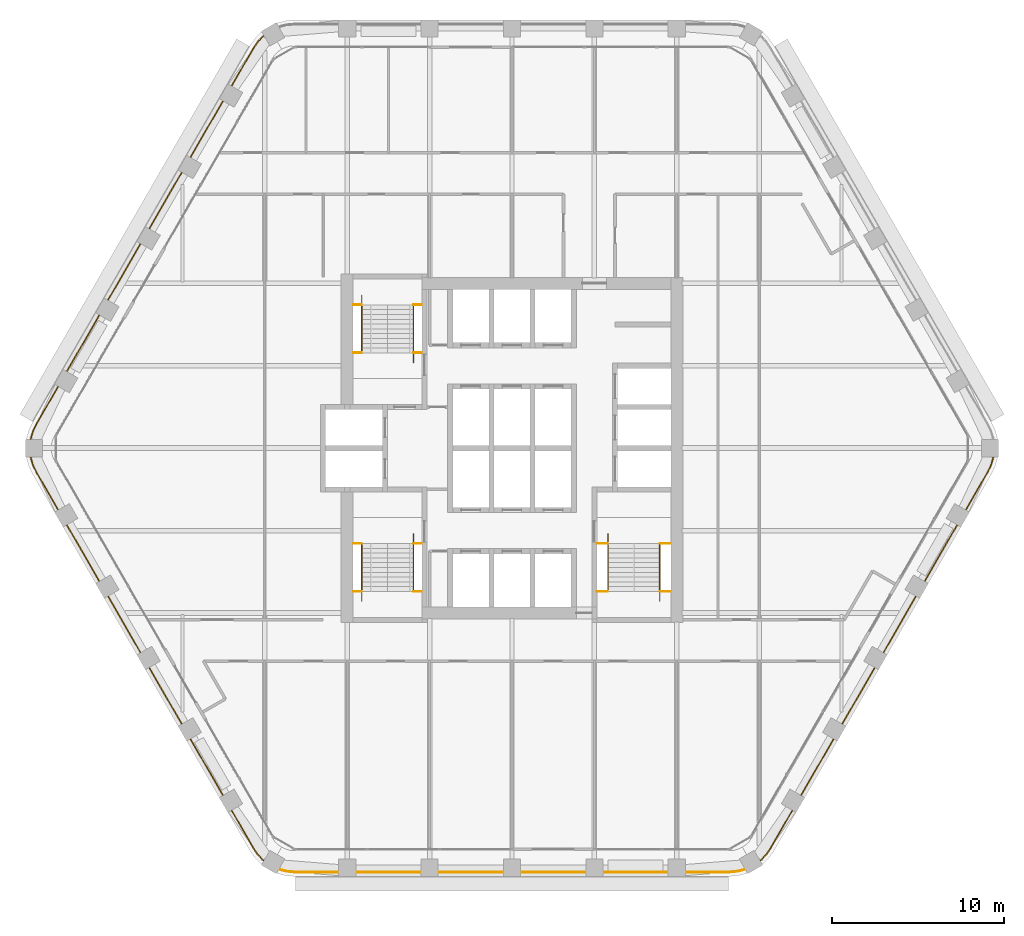
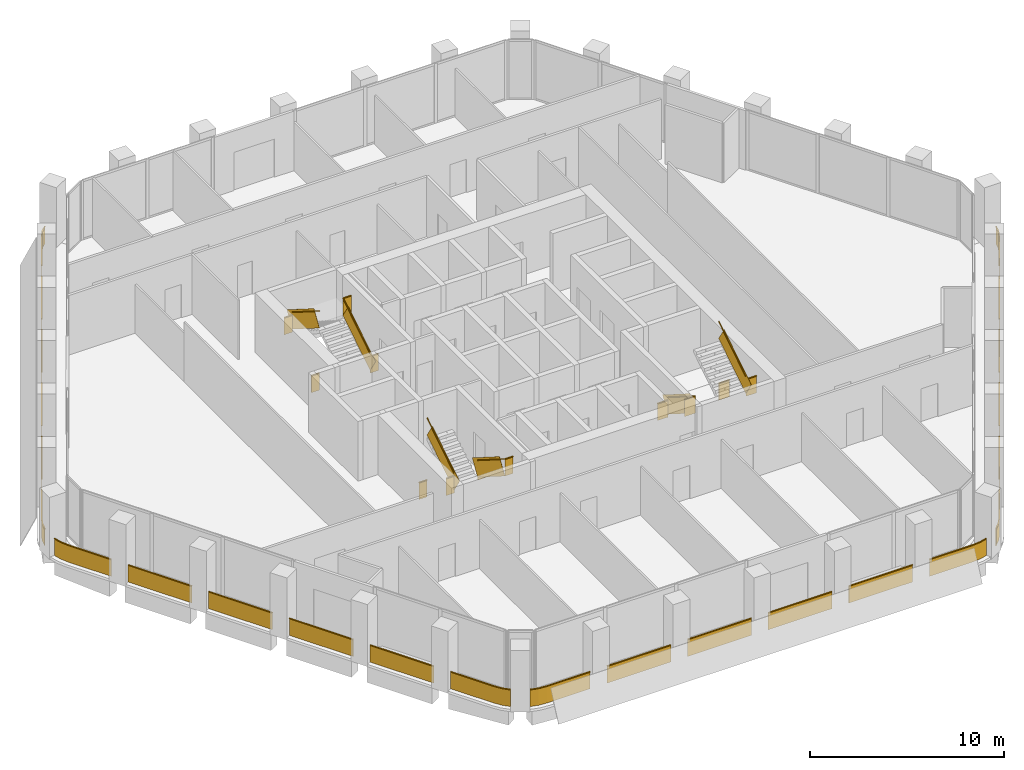
# One storey, part 14 of 15: 10 railings.
"""IFC4 building model written with IfcOpenShell, lengths in metres."""

from ifc_helpers import new_model, si_unit, direction, frame, frame_2d, origin, origin_2d, place, context, subcontext, project, spatial, rectangle, extrude, material, type_object, element, save


model = new_model("IFC4")

# Units and contexts
model_context = context("Model", 3, precision=1e-05, world=origin(), true_north=direction((0.0, 1.0)))
body_context = subcontext(model_context, "Body", "Model", "MODEL_VIEW")
ifc_project = project(units=[si_unit("LENGTHUNIT", "METRE"), si_unit("AREAUNIT", "SQUARE_METRE"), si_unit("VOLUMEUNIT", "CUBIC_METRE"), si_unit("PLANEANGLEUNIT", "RADIAN"), si_unit("MASSUNIT", "GRAM", prefix="KILO")], contexts=[model_context])

# Site, building, storey
site_placement = place(None, origin())
site = spatial("IfcSite", under=ifc_project, at=site_placement, CompositionType="ELEMENT")
building_placement = place(site_placement, origin())
building = spatial("IfcBuilding", under=site, at=building_placement, Name="Kolab Exchange Tower", CompositionType="ELEMENT")
storey_placement = place(building_placement, frame((0.0, 0.0, 185.60009765625)))
storey = spatial("IfcBuildingStorey", under=building, at=storey_placement, Name="L39", CompositionType="ELEMENT", Elevation=185.60009765625)

# Railings
ifc_material_1 = material(Name="Stainless steel 316", Category="steel")
railing_type_1 = type_object("IfcRailingType", Name="GUARD 1100", PredefinedType="GUARDRAIL", material=ifc_material_1)
railing_1_placement = place(storey_placement, frame((-9.25, 5.550048828125, 0.0)))
element("IfcRailing", 1, at=railing_1_placement, inside=storey, type_object=railing_type_1, Name="Guard ST1", PredefinedType="GUARDRAIL", context=body_context, shape_type="SweptSolid", body=[
    extrude(rectangle(XDim=0.05, YDim=0.05, at=origin_2d()), frame((0.0, 0.0, 1.0751953125), z_axis=(1.0, 0.0, 0.0), x_axis=(0.0, 1.0, 0.0)), (0.0, 0.0, 1.0), 0.489990234375),
    extrude(rectangle(XDim=0.012, YDim=1.05009765625, at=frame_2d((0.0, 0.525146484375))), frame((0.0, 0.0, 0.0), z_axis=(1.0, 0.0, 0.0), x_axis=(0.0, 1.0, 0.0)), (0.0, 0.0, 1.0), 0.489990234375),
    extrude(rectangle(XDim=0.05, YDim=0.05, at=origin_2d()), frame((3.510009765625, 0.0, 1.0751953125), z_axis=(1.0, 0.0, 0.0), x_axis=(0.0, 1.0, 0.0)), (0.0, 0.0, 1.0), 0.489990234375),
    extrude(rectangle(XDim=0.012, YDim=1.05009765625, at=frame_2d((0.0, 0.525146484375))), frame((3.510009765625, 0.0, 0.0), z_axis=(1.0, 0.0, 0.0), x_axis=(0.0, 1.0, 0.0)), (0.0, 0.0, 1.0), 0.489990234375),
    extrude(rectangle(XDim=0.05, YDim=0.05, at=origin_2d()), frame((0.0, 2.800048828125, 3.025146484375), z_axis=(1.0, 0.0, 0.0), x_axis=(0.0, 1.0, 0.0)), (0.0, 0.0, 1.0), 0.489990234375),
    extrude(rectangle(XDim=0.012, YDim=1.05009765625, at=frame_2d((0.0, 0.525146484375))), frame((0.0, 2.800048828125, 1.949951171875), z_axis=(1.0, 0.0, 0.0), x_axis=(0.0, 1.0, 0.0)), (0.0, 0.0, 1.0), 0.489990234375),
    extrude(rectangle(XDim=0.05, YDim=0.05, at=origin_2d()), frame((3.510009765625, 2.800048828125, 3.025146484375), z_axis=(1.0, 0.0, 0.0), x_axis=(0.0, 1.0, 0.0)), (0.0, 0.0, 1.0), 0.489990234375),
    extrude(rectangle(XDim=0.012, YDim=1.05009765625, at=frame_2d((0.0, 0.525146484375))), frame((3.510009765625, 2.800048828125, 1.949951171875), z_axis=(1.0, 0.0, 0.0), x_axis=(0.0, 1.0, 0.0)), (0.0, 0.0, 1.0), 0.489990234375),
])
railing_2_placement = place(storey_placement, frame((-5.739990234375, 5.550048828125, 0.17724609375)))
element("IfcRailing", 2, at=railing_2_placement, inside=storey, type_object=railing_type_1, Name="Handrail guard ST1", PredefinedType="GUARDRAIL", context=body_context, shape_type="SweptSolid", body=[
    extrude(rectangle(XDim=0.05, YDim=0.05, at=origin_2d()), frame((0.0, 0.0, 1.0751953125), z_axis=(0.0, 0.844908973607, 0.534910110503), x_axis=(-1.0, 0.0, 0.0)), (0.0, 0.0, 1.0), 3.31396484375),
    extrude(rectangle(XDim=0.012, YDim=1.05009765625, at=frame_2d((0.0, 0.525146484375))), frame((0.0, 0.0, 0.0), z_axis=(0.0, 0.844908973607, 0.534910110503), x_axis=(-1.0, 0.0, 0.0)), (0.0, 0.0, 1.0), 3.31396484375),
    extrude(rectangle(XDim=0.05, YDim=0.05, at=origin_2d()), frame((-3.02001953125, 2.800048828125, 3.025146484375), z_axis=(0.0, -0.844908973607, 0.534910110503), x_axis=(1.0, 0.0, 0.0)), (0.0, 0.0, 1.0), 3.31396484375),
    extrude(rectangle(XDim=0.012, YDim=1.05009765625, at=frame_2d((0.0, 0.525146484375))), frame((-3.02001953125, 2.800048828125, 1.949951171875), z_axis=(0.0, -0.844908973607, 0.534910110503), x_axis=(1.0, 0.0, 0.0)), (0.0, 0.0, 1.0), 3.31396484375),
])
railing_3_placement = place(storey_placement, frame((-9.25, -5.550048828125, 0.0)))
element("IfcRailing", 3, at=railing_3_placement, inside=storey, type_object=railing_type_1, Name="Guard ST3", PredefinedType="GUARDRAIL", context=body_context, shape_type="SweptSolid", body=[
    extrude(rectangle(XDim=0.05, YDim=0.05, at=origin_2d()), frame((0.0, 0.0, 1.0751953125), z_axis=(1.0, 0.0, 0.0), x_axis=(0.0, 1.0, 0.0)), (0.0, 0.0, 1.0), 0.489990234375),
    extrude(rectangle(XDim=0.012, YDim=1.05009765625, at=frame_2d((0.0, 0.525146484375))), frame((0.0, 0.0, 0.0), z_axis=(1.0, 0.0, 0.0), x_axis=(0.0, 1.0, 0.0)), (0.0, 0.0, 1.0), 0.489990234375),
    extrude(rectangle(XDim=0.05, YDim=0.05, at=origin_2d()), frame((3.510009765625, 0.0, 1.0751953125), z_axis=(1.0, 0.0, 0.0), x_axis=(0.0, 1.0, 0.0)), (0.0, 0.0, 1.0), 0.489990234375),
    extrude(rectangle(XDim=0.012, YDim=1.05009765625, at=frame_2d((0.0, 0.525146484375))), frame((3.510009765625, 0.0, 0.0), z_axis=(1.0, 0.0, 0.0), x_axis=(0.0, 1.0, 0.0)), (0.0, 0.0, 1.0), 0.489990234375),
    extrude(rectangle(XDim=0.05, YDim=0.05, at=origin_2d()), frame((0.0, -2.800048828125, 3.025146484375), z_axis=(1.0, 0.0, 0.0), x_axis=(0.0, 1.0, 0.0)), (0.0, 0.0, 1.0), 0.489990234375),
    extrude(rectangle(XDim=0.012, YDim=1.05009765625, at=frame_2d((0.0, 0.525146484375))), frame((0.0, -2.800048828125, 1.949951171875), z_axis=(1.0, 0.0, 0.0), x_axis=(0.0, 1.0, 0.0)), (0.0, 0.0, 1.0), 0.489990234375),
    extrude(rectangle(XDim=0.05, YDim=0.05, at=origin_2d()), frame((3.510009765625, -2.800048828125, 3.025146484375), z_axis=(1.0, 0.0, 0.0), x_axis=(0.0, 1.0, 0.0)), (0.0, 0.0, 1.0), 0.489990234375),
    extrude(rectangle(XDim=0.012, YDim=1.05009765625, at=frame_2d((0.0, 0.525146484375))), frame((3.510009765625, -2.800048828125, 1.949951171875), z_axis=(1.0, 0.0, 0.0), x_axis=(0.0, 1.0, 0.0)), (0.0, 0.0, 1.0), 0.489990234375),
])
railing_4_placement = place(storey_placement, frame((-5.739990234375, -5.550048828125, 0.17724609375)))
element("IfcRailing", 4, at=railing_4_placement, inside=storey, type_object=railing_type_1, Name="Handrail guard ST3", PredefinedType="GUARDRAIL", context=body_context, shape_type="SweptSolid", body=[
    extrude(rectangle(XDim=0.05, YDim=0.05, at=origin_2d()), frame((0.0, 0.0, 1.0751953125), z_axis=(0.0, -0.844908973607, 0.534910110503), x_axis=(1.0, 0.0, 0.0)), (0.0, 0.0, 1.0), 3.31396484375),
    extrude(rectangle(XDim=0.012, YDim=1.05009765625, at=frame_2d((0.0, 0.525146484375))), frame((0.0, 0.0, 0.0), z_axis=(0.0, -0.844908973607, 0.534910110503), x_axis=(1.0, 0.0, 0.0)), (0.0, 0.0, 1.0), 3.31396484375),
    extrude(rectangle(XDim=0.05, YDim=0.05, at=origin_2d()), frame((-3.02001953125, -2.800048828125, 3.025146484375), z_axis=(0.0, 0.844908973607, 0.534910110503), x_axis=(-1.0, 0.0, 0.0)), (0.0, 0.0, 1.0), 3.31396484375),
    extrude(rectangle(XDim=0.012, YDim=1.05009765625, at=frame_2d((0.0, 0.525146484375))), frame((-3.02001953125, -2.800048828125, 1.949951171875), z_axis=(0.0, 0.844908973607, 0.534910110503), x_axis=(-1.0, 0.0, 0.0)), (0.0, 0.0, 1.0), 3.31396484375),
])
railing_5_placement = place(storey_placement, frame((4.949951171875, -5.550048828125, 0.0)))
element("IfcRailing", 5, at=railing_5_placement, inside=storey, type_object=railing_type_1, Name="Guard ST2", PredefinedType="GUARDRAIL", context=body_context, shape_type="SweptSolid", body=[
    extrude(rectangle(XDim=0.05, YDim=0.05, at=origin_2d()), frame((0.0, 0.0, 1.0751953125), z_axis=(1.0, 0.0, 0.0), x_axis=(0.0, 1.0, 0.0)), (0.0, 0.0, 1.0), 0.64013671875),
    extrude(rectangle(XDim=0.012, YDim=1.05009765625, at=frame_2d((0.0, 0.525146484375))), frame((0.0, 0.0, 0.0), z_axis=(1.0, 0.0, 0.0), x_axis=(0.0, 1.0, 0.0)), (0.0, 0.0, 1.0), 0.64013671875),
    extrude(rectangle(XDim=0.05, YDim=0.05, at=origin_2d()), frame((3.66015625, 0.0, 1.0751953125), z_axis=(1.0, 0.0, 0.0), x_axis=(0.0, 1.0, 0.0)), (0.0, 0.0, 1.0), 0.639892578125),
    extrude(rectangle(XDim=0.012, YDim=1.05009765625, at=frame_2d((0.0, 0.525146484375))), frame((3.66015625, 0.0, 0.0), z_axis=(1.0, 0.0, 0.0), x_axis=(0.0, 1.0, 0.0)), (0.0, 0.0, 1.0), 0.639892578125),
    extrude(rectangle(XDim=0.05, YDim=0.05, at=origin_2d()), frame((0.0, -2.800048828125, 3.025146484375), z_axis=(1.0, 0.0, 0.0), x_axis=(0.0, 1.0, 0.0)), (0.0, 0.0, 1.0), 0.64013671875),
    extrude(rectangle(XDim=0.012, YDim=1.05009765625, at=frame_2d((0.0, 0.525146484375))), frame((0.0, -2.800048828125, 1.949951171875), z_axis=(1.0, 0.0, 0.0), x_axis=(0.0, 1.0, 0.0)), (0.0, 0.0, 1.0), 0.64013671875),
    extrude(rectangle(XDim=0.05, YDim=0.05, at=origin_2d()), frame((3.66015625, -2.800048828125, 3.025146484375), z_axis=(1.0, 0.0, 0.0), x_axis=(0.0, 1.0, 0.0)), (0.0, 0.0, 1.0), 0.639892578125),
    extrude(rectangle(XDim=0.012, YDim=1.05009765625, at=frame_2d((0.0, 0.525146484375))), frame((3.66015625, -2.800048828125, 1.949951171875), z_axis=(1.0, 0.0, 0.0), x_axis=(0.0, 1.0, 0.0)), (0.0, 0.0, 1.0), 0.639892578125),
])
railing_6_placement = place(storey_placement, frame((5.590087890625, -5.550048828125, 0.17724609375)))
element("IfcRailing", 6, at=railing_6_placement, inside=storey, type_object=railing_type_1, Name="Handrail guard ST2", PredefinedType="GUARDRAIL", context=body_context, shape_type="SweptSolid", body=[
    extrude(rectangle(XDim=0.05, YDim=0.05, at=origin_2d()), frame((0.0, 0.0, 1.0751953125), z_axis=(0.0, -0.844908973607, 0.534910110503), x_axis=(1.0, 0.0, 0.0)), (0.0, 0.0, 1.0), 3.31396484375),
    extrude(rectangle(XDim=0.012, YDim=1.05009765625, at=frame_2d((0.0, 0.525146484375))), frame((0.0, 0.0, 0.0), z_axis=(0.0, -0.844908973607, 0.534910110503), x_axis=(1.0, 0.0, 0.0)), (0.0, 0.0, 1.0), 3.31396484375),
    extrude(rectangle(XDim=0.05, YDim=0.05, at=origin_2d()), frame((3.02001953125, -2.800048828125, 3.025146484375), z_axis=(0.0, 0.844908973607, 0.534910110503), x_axis=(-1.0, 0.0, 0.0)), (0.0, 0.0, 1.0), 3.31396484375),
    extrude(rectangle(XDim=0.012, YDim=1.05009765625, at=frame_2d((0.0, 0.525146484375))), frame((3.02001953125, -2.800048828125, 1.949951171875), z_axis=(0.0, 0.844908973607, 0.534910110503), x_axis=(-1.0, 0.0, 0.0)), (0.0, 0.0, 1.0), 3.31396484375),
])
ifc_material_2 = material(Name="Steel S235", Category="steel")
railing_type_2 = type_object("IfcRailingType", Name="GUARD 1100 GLASS BALUSTRADE AND STEEL TOP RAIL", PredefinedType="GUARDRAIL", material=ifc_material_2)
railing_7_placement = place(storey_placement, frame((14.4501953125, -24.033447265625, 0.0)))
element("IfcRailing", 7, at=railing_7_placement, inside=storey, type_object=railing_type_2, Name="Guard", PredefinedType="GUARDRAIL", context=body_context, shape_type="SweptSolid", body=[
    extrude(rectangle(XDim=0.05, YDim=0.05, at=origin_2d()), frame((0.0, 0.0, 1.0751953125), z_axis=(0.70737286085, 0.706840601361, 0.0), x_axis=(-0.706840601361, 0.70737286085, 0.0)), (0.0, 0.0, 1.0), 0.458740234375),
    extrude(rectangle(XDim=0.012, YDim=1.05009765625, at=frame_2d((0.0, 0.525146484375))), frame((0.0, 0.0, 0.0), z_axis=(0.70737286085, 0.706840601361, 0.0), x_axis=(-0.706840601361, 0.70737286085, 0.0)), (0.0, 0.0, 1.0), 0.458740234375),
    extrude(rectangle(XDim=0.05, YDim=0.05, at=origin_2d()), frame((0.324462890625, 0.32421875, 1.0751953125), z_axis=(0.573599091554, 0.819136180478, 0.0), x_axis=(-0.819136180478, 0.573599091554, 0.0)), (0.0, 0.0, 1.0), 0.479248046875),
    extrude(rectangle(XDim=0.012, YDim=1.05009765625, at=frame_2d((0.0, 0.525146484375))), frame((0.324462890625, 0.32421875, 0.0), z_axis=(0.573599091554, 0.819136180478, 0.0), x_axis=(-0.819136180478, 0.573599091554, 0.0)), (0.0, 0.0, 1.0), 0.479248046875),
    extrude(rectangle(XDim=0.05, YDim=0.05, at=origin_2d()), frame((0.599365234375, 0.716796875, 1.0751953125), z_axis=(0.499952873616, 0.866052610505, 0.0), x_axis=(-0.866052610505, 0.499952873616, 0.0)), (0.0, 0.0, 1.0), 2.568115234375),
    extrude(rectangle(XDim=0.012, YDim=1.05009765625, at=frame_2d((0.0, 0.525146484375))), frame((0.599365234375, 0.716796875, 0.0), z_axis=(0.499952873616, 0.866052610505, 0.0), x_axis=(-0.866052610505, 0.499952873616, 0.0)), (0.0, 0.0, 1.0), 2.568115234375),
    extrude(rectangle(XDim=0.05, YDim=0.05, at=origin_2d()), frame((2.38330078125, 3.806884765625, 1.0751953125), z_axis=(0.499994975061, 0.866028304915, 0.0), x_axis=(-0.866028304915, 0.499994975061, 0.0)), (0.0, 0.0, 1.0), 3.7998046875),
    extrude(rectangle(XDim=0.012, YDim=1.05009765625, at=frame_2d((0.0, 0.525146484375))), frame((2.38330078125, 3.806884765625, 0.0), z_axis=(0.499994975061, 0.866028304915, 0.0), x_axis=(-0.866028304915, 0.499994975061, 0.0)), (0.0, 0.0, 1.0), 3.7998046875),
    extrude(rectangle(XDim=0.05, YDim=0.05, at=origin_2d()), frame((4.783203125, 7.9638671875, 1.0751953125), z_axis=(0.500043160704, 0.866000483506, 0.0), x_axis=(-0.866000483506, 0.500043160704, 0.0)), (0.0, 0.0, 1.0), 3.800048828125),
    extrude(rectangle(XDim=0.012, YDim=1.05009765625, at=frame_2d((0.0, 0.525146484375))), frame((4.783203125, 7.9638671875, 0.0), z_axis=(0.500043160704, 0.866000483506, 0.0), x_axis=(-0.866000483506, 0.500043160704, 0.0)), (0.0, 0.0, 1.0), 3.800048828125),
    extrude(rectangle(XDim=0.05, YDim=0.05, at=origin_2d()), frame((7.183349609375, 12.12060546875, 1.0751953125), z_axis=(0.499967155389, 0.866044365799, 0.0), x_axis=(-0.866044365799, 0.499967155389, 0.0)), (0.0, 0.0, 1.0), 3.800048828125),
    extrude(rectangle(XDim=0.012, YDim=1.05009765625, at=frame_2d((0.0, 0.525146484375))), frame((7.183349609375, 12.12060546875, 0.0), z_axis=(0.499967155389, 0.866044365799, 0.0), x_axis=(-0.866044365799, 0.499967155389, 0.0)), (0.0, 0.0, 1.0), 3.800048828125),
    extrude(rectangle(XDim=0.05, YDim=0.05, at=origin_2d()), frame((9.583251953125, 16.277587890625, 1.0751953125), z_axis=(0.500015340139, 0.86601654697, 0.0), x_axis=(-0.86601654697, 0.500015340139, 0.0)), (0.0, 0.0, 1.0), 3.80029296875),
    extrude(rectangle(XDim=0.012, YDim=1.05009765625, at=frame_2d((0.0, 0.525146484375))), frame((9.583251953125, 16.277587890625, 0.0), z_axis=(0.500015340139, 0.86601654697, 0.0), x_axis=(-0.86601654697, 0.500015340139, 0.0)), (0.0, 0.0, 1.0), 3.80029296875),
    extrude(rectangle(XDim=0.05, YDim=0.05, at=origin_2d()), frame((11.9833984375, 20.4345703125, 1.0751953125), z_axis=(0.499994038704, 0.866028845513, 0.0), x_axis=(-0.866028845513, 0.499994038704, 0.0)), (0.0, 0.0, 1.0), 2.56787109375),
    extrude(rectangle(XDim=0.012, YDim=1.05009765625, at=frame_2d((0.0, 0.525146484375))), frame((11.9833984375, 20.4345703125, 0.0), z_axis=(0.499994038704, 0.866028845513, 0.0), x_axis=(-0.866028845513, 0.499994038704, 0.0)), (0.0, 0.0, 1.0), 2.56787109375),
    extrude(rectangle(XDim=0.05, YDim=0.05, at=origin_2d()), frame((13.267333984375, 22.658447265625, 1.0751953125), z_axis=(0.422801802984, 0.906222177721, 0.0), x_axis=(-0.906222177721, 0.422801802984, 0.0)), (0.0, 0.0, 1.0), 0.479248046875),
    extrude(rectangle(XDim=0.012, YDim=1.05009765625, at=frame_2d((0.0, 0.525146484375))), frame((13.267333984375, 22.658447265625, 0.0), z_axis=(0.422801802984, 0.906222177721, 0.0), x_axis=(-0.906222177721, 0.422801802984, 0.0)), (0.0, 0.0, 1.0), 0.479248046875),
    extrude(rectangle(XDim=0.05, YDim=0.05, at=origin_2d()), frame((13.469970703125, 23.0927734375, 1.0751953125), z_axis=(0.25865627591, 0.965969425465, 0.0), x_axis=(-0.965969425465, 0.25865627591, 0.0)), (0.0, 0.0, 1.0), 0.458740234375),
    extrude(rectangle(XDim=0.012, YDim=1.05009765625, at=frame_2d((0.0, 0.525146484375))), frame((13.469970703125, 23.0927734375, 0.0), z_axis=(0.25865627591, 0.965969425465, 0.0), x_axis=(-0.965969425465, 0.25865627591, 0.0)), (0.0, 0.0, 1.0), 0.458740234375),
])
railing_8_placement = place(storey_placement, frame((-13.588623046875, -24.531005859375, 0.0)))
element("IfcRailing", 8, at=railing_8_placement, inside=storey, type_object=railing_type_2, Name="Guard", PredefinedType="GUARDRAIL", context=body_context, shape_type="SweptSolid", body=[
    extrude(rectangle(XDim=0.05, YDim=0.05, at=origin_2d()), frame((0.0, 0.0, 1.0751953125), z_axis=(0.965969425465, -0.25865627591, 0.0), x_axis=(0.25865627591, 0.965969425465, 0.0)), (0.0, 0.0, 1.0), 0.458740234375),
    extrude(rectangle(XDim=0.012, YDim=1.05009765625, at=frame_2d((0.0, 0.525146484375))), frame((0.0, 0.0, 0.0), z_axis=(0.965969425465, -0.25865627591, 0.0), x_axis=(0.25865627591, 0.965969425465, 0.0)), (0.0, 0.0, 1.0), 0.458740234375),
    extrude(rectangle(XDim=0.05, YDim=0.05, at=origin_2d()), frame((0.443115234375, -0.11865234375, 1.0751953125), z_axis=(0.996156034798, -0.087596542937, 0.0), x_axis=(0.087596542937, 0.996156034798, 0.0)), (0.0, 0.0, 1.0), 0.4794921875),
    extrude(rectangle(XDim=0.012, YDim=1.05009765625, at=frame_2d((0.0, 0.525146484375))), frame((0.443115234375, -0.11865234375, 0.0), z_axis=(0.996156034798, -0.087596542937, 0.0), x_axis=(0.087596542937, 0.996156034798, 0.0)), (0.0, 0.0, 1.0), 0.4794921875),
    extrude(rectangle(XDim=0.05, YDim=0.05, at=origin_2d()), frame((0.920654296875, -0.16064453125, 1.0751953125), z_axis=(1.0, 0.0, 0.0), x_axis=(0.0, 1.0, 0.0)), (0.0, 0.0, 1.0), 2.56787109375),
    extrude(rectangle(XDim=0.012, YDim=1.05009765625, at=frame_2d((0.0, 0.525146484375))), frame((0.920654296875, -0.16064453125, 0.0), z_axis=(1.0, 0.0, 0.0), x_axis=(0.0, 1.0, 0.0)), (0.0, 0.0, 1.0), 2.56787109375),
    extrude(rectangle(XDim=0.05, YDim=0.05, at=origin_2d()), frame((4.488525390625, -0.16064453125, 1.0751953125), z_axis=(1.0, 0.0, 0.0), x_axis=(0.0, 1.0, 0.0)), (0.0, 0.0, 1.0), 3.800048828125),
    extrude(rectangle(XDim=0.012, YDim=1.05009765625, at=frame_2d((0.0, 0.525146484375))), frame((4.488525390625, -0.16064453125, 0.0), z_axis=(1.0, 0.0, 0.0), x_axis=(0.0, 1.0, 0.0)), (0.0, 0.0, 1.0), 3.800048828125),
    extrude(rectangle(XDim=0.05, YDim=0.05, at=origin_2d()), frame((9.28857421875, -0.16064453125, 1.0751953125), z_axis=(1.0, 0.0, 0.0), x_axis=(0.0, 1.0, 0.0)), (0.0, 0.0, 1.0), 3.800048828125),
    extrude(rectangle(XDim=0.012, YDim=1.05009765625, at=frame_2d((0.0, 0.525146484375))), frame((9.28857421875, -0.16064453125, 0.0), z_axis=(1.0, 0.0, 0.0), x_axis=(0.0, 1.0, 0.0)), (0.0, 0.0, 1.0), 3.800048828125),
    extrude(rectangle(XDim=0.05, YDim=0.05, at=origin_2d()), frame((14.088623046875, -0.16064453125, 1.0751953125), z_axis=(1.0, 0.0, 0.0), x_axis=(0.0, 1.0, 0.0)), (0.0, 0.0, 1.0), 3.800048828125),
    extrude(rectangle(XDim=0.012, YDim=1.05009765625, at=frame_2d((0.0, 0.525146484375))), frame((14.088623046875, -0.16064453125, 0.0), z_axis=(1.0, 0.0, 0.0), x_axis=(0.0, 1.0, 0.0)), (0.0, 0.0, 1.0), 3.800048828125),
    extrude(rectangle(XDim=0.05, YDim=0.05, at=origin_2d()), frame((18.888671875, -0.16064453125, 1.0751953125), z_axis=(1.0, 0.0, 0.0), x_axis=(0.0, 1.0, 0.0)), (0.0, 0.0, 1.0), 3.800048828125),
    extrude(rectangle(XDim=0.012, YDim=1.05009765625, at=frame_2d((0.0, 0.525146484375))), frame((18.888671875, -0.16064453125, 0.0), z_axis=(1.0, 0.0, 0.0), x_axis=(0.0, 1.0, 0.0)), (0.0, 0.0, 1.0), 3.800048828125),
    extrude(rectangle(XDim=0.05, YDim=0.05, at=origin_2d()), frame((23.688720703125, -0.16064453125, 1.0751953125), z_axis=(1.0, 0.0, 0.0), x_axis=(0.0, 1.0, 0.0)), (0.0, 0.0, 1.0), 2.56787109375),
    extrude(rectangle(XDim=0.012, YDim=1.05009765625, at=frame_2d((0.0, 0.525146484375))), frame((23.688720703125, -0.16064453125, 0.0), z_axis=(1.0, 0.0, 0.0), x_axis=(0.0, 1.0, 0.0)), (0.0, 0.0, 1.0), 2.56787109375),
    extrude(rectangle(XDim=0.05, YDim=0.05, at=origin_2d()), frame((26.256591796875, -0.16064453125, 1.0751953125), z_axis=(0.996156034798, 0.087596542937, 0.0), x_axis=(-0.087596542937, 0.996156034798, 0.0)), (0.0, 0.0, 1.0), 0.4794921875),
    extrude(rectangle(XDim=0.012, YDim=1.05009765625, at=frame_2d((0.0, 0.525146484375))), frame((26.256591796875, -0.16064453125, 0.0), z_axis=(0.996156034798, 0.087596542937, 0.0), x_axis=(-0.087596542937, 0.996156034798, 0.0)), (0.0, 0.0, 1.0), 0.4794921875),
    extrude(rectangle(XDim=0.05, YDim=0.05, at=origin_2d()), frame((26.734130859375, -0.11865234375, 1.0751953125), z_axis=(0.965969425465, 0.25865627591, 0.0), x_axis=(-0.25865627591, 0.965969425465, 0.0)), (0.0, 0.0, 1.0), 0.458740234375),
    extrude(rectangle(XDim=0.012, YDim=1.05009765625, at=frame_2d((0.0, 0.525146484375))), frame((26.734130859375, -0.11865234375, 0.0), z_axis=(0.965969425465, 0.25865627591, 0.0), x_axis=(-0.25865627591, 0.965969425465, 0.0)), (0.0, 0.0, 1.0), 0.458740234375),
])
railing_9_placement = place(storey_placement, frame((-28.038818359375, -0.49755859375, 0.0)))
element("IfcRailing", 9, at=railing_9_placement, inside=storey, type_object=railing_type_2, Name="Guard", PredefinedType="GUARDRAIL", context=body_context, shape_type="SweptSolid", body=[
    extrude(rectangle(XDim=0.05, YDim=0.05, at=origin_2d()), frame((0.0, 0.0, 1.0751953125), z_axis=(0.25865627591, -0.965969425465, 0.0), x_axis=(0.965969425465, 0.25865627591, 0.0)), (0.0, 0.0, 1.0), 0.458740234375),
    extrude(rectangle(XDim=0.012, YDim=1.05009765625, at=frame_2d((0.0, 0.525146484375))), frame((0.0, 0.0, 0.0), z_axis=(0.25865627591, -0.965969425465, 0.0), x_axis=(0.965969425465, 0.25865627591, 0.0)), (0.0, 0.0, 1.0), 0.458740234375),
    extrude(rectangle(XDim=0.05, YDim=0.05, at=origin_2d()), frame((0.11865234375, -0.443115234375, 1.0751953125), z_axis=(0.422801802984, -0.906222177721, 0.0), x_axis=(0.906222177721, 0.422801802984, 0.0)), (0.0, 0.0, 1.0), 0.479248046875),
    extrude(rectangle(XDim=0.012, YDim=1.05009765625, at=frame_2d((0.0, 0.525146484375))), frame((0.11865234375, -0.443115234375, 0.0), z_axis=(0.422801802984, -0.906222177721, 0.0), x_axis=(0.906222177721, 0.422801802984, 0.0)), (0.0, 0.0, 1.0), 0.479248046875),
    extrude(rectangle(XDim=0.05, YDim=0.05, at=origin_2d()), frame((0.3212890625, -0.87744140625, 1.0751953125), z_axis=(0.499994038704, -0.866028845513, 0.0), x_axis=(0.866028845513, 0.499994038704, 0.0)), (0.0, 0.0, 1.0), 2.56787109375),
    extrude(rectangle(XDim=0.012, YDim=1.05009765625, at=frame_2d((0.0, 0.525146484375))), frame((0.3212890625, -0.87744140625, 0.0), z_axis=(0.499994038704, -0.866028845513, 0.0), x_axis=(0.866028845513, 0.499994038704, 0.0)), (0.0, 0.0, 1.0), 2.56787109375),
    extrude(rectangle(XDim=0.05, YDim=0.05, at=origin_2d()), frame((2.105224609375, -3.96728515625, 1.0751953125), z_axis=(0.500015340139, -0.86601654697, 0.0), x_axis=(0.86601654697, 0.500015340139, 0.0)), (0.0, 0.0, 1.0), 3.80029296875),
    extrude(rectangle(XDim=0.012, YDim=1.05009765625, at=frame_2d((0.0, 0.525146484375))), frame((2.105224609375, -3.96728515625, 0.0), z_axis=(0.500015340139, -0.86601654697, 0.0), x_axis=(0.86601654697, 0.500015340139, 0.0)), (0.0, 0.0, 1.0), 3.80029296875),
    extrude(rectangle(XDim=0.05, YDim=0.05, at=origin_2d()), frame((4.50537109375, -8.124267578125, 1.0751953125), z_axis=(0.499967155389, -0.866044365799, 0.0), x_axis=(0.866044365799, 0.499967155389, 0.0)), (0.0, 0.0, 1.0), 3.800048828125),
    extrude(rectangle(XDim=0.012, YDim=1.05009765625, at=frame_2d((0.0, 0.525146484375))), frame((4.50537109375, -8.124267578125, 0.0), z_axis=(0.499967155389, -0.866044365799, 0.0), x_axis=(0.866044365799, 0.499967155389, 0.0)), (0.0, 0.0, 1.0), 3.800048828125),
    extrude(rectangle(XDim=0.05, YDim=0.05, at=origin_2d()), frame((6.9052734375, -12.28125, 1.0751953125), z_axis=(0.500043160704, -0.866000483506, 0.0), x_axis=(0.866000483506, 0.500043160704, 0.0)), (0.0, 0.0, 1.0), 3.800048828125),
    extrude(rectangle(XDim=0.012, YDim=1.05009765625, at=frame_2d((0.0, 0.525146484375))), frame((6.9052734375, -12.28125, 0.0), z_axis=(0.500043160704, -0.866000483506, 0.0), x_axis=(0.866000483506, 0.500043160704, 0.0)), (0.0, 0.0, 1.0), 3.800048828125),
    extrude(rectangle(XDim=0.05, YDim=0.05, at=origin_2d()), frame((9.305419921875, -16.438232421875, 1.0751953125), z_axis=(0.499994975061, -0.866028304915, 0.0), x_axis=(0.866028304915, 0.499994975061, 0.0)), (0.0, 0.0, 1.0), 3.7998046875),
    extrude(rectangle(XDim=0.012, YDim=1.05009765625, at=frame_2d((0.0, 0.525146484375))), frame((9.305419921875, -16.438232421875, 0.0), z_axis=(0.499994975061, -0.866028304915, 0.0), x_axis=(0.866028304915, 0.499994975061, 0.0)), (0.0, 0.0, 1.0), 3.7998046875),
    extrude(rectangle(XDim=0.05, YDim=0.05, at=origin_2d()), frame((11.705322265625, -20.594970703125, 1.0751953125), z_axis=(0.499952873616, -0.866052610505, 0.0), x_axis=(0.866052610505, 0.499952873616, 0.0)), (0.0, 0.0, 1.0), 2.568115234375),
    extrude(rectangle(XDim=0.012, YDim=1.05009765625, at=frame_2d((0.0, 0.525146484375))), frame((11.705322265625, -20.594970703125, 0.0), z_axis=(0.499952873616, -0.866052610505, 0.0), x_axis=(0.866052610505, 0.499952873616, 0.0)), (0.0, 0.0, 1.0), 2.568115234375),
    extrude(rectangle(XDim=0.05, YDim=0.05, at=origin_2d()), frame((12.9892578125, -22.819091796875, 1.0751953125), z_axis=(0.573599091554, -0.819136180478, 0.0), x_axis=(0.819136180478, 0.573599091554, 0.0)), (0.0, 0.0, 1.0), 0.479248046875),
    extrude(rectangle(XDim=0.012, YDim=1.05009765625, at=frame_2d((0.0, 0.525146484375))), frame((12.9892578125, -22.819091796875, 0.0), z_axis=(0.573599091554, -0.819136180478, 0.0), x_axis=(0.819136180478, 0.573599091554, 0.0)), (0.0, 0.0, 1.0), 0.479248046875),
    extrude(rectangle(XDim=0.05, YDim=0.05, at=origin_2d()), frame((13.26416015625, -23.211669921875, 1.0751953125), z_axis=(0.70737286085, -0.706840601361, 0.0), x_axis=(0.706840601361, 0.70737286085, 0.0)), (0.0, 0.0, 1.0), 0.458740234375),
    extrude(rectangle(XDim=0.012, YDim=1.05009765625, at=frame_2d((0.0, 0.525146484375))), frame((13.26416015625, -23.211669921875, 0.0), z_axis=(0.70737286085, -0.706840601361, 0.0), x_axis=(0.706840601361, 0.70737286085, 0.0)), (0.0, 0.0, 1.0), 0.458740234375),
])
railing_10_placement = place(storey_placement, frame((-14.4501953125, 24.033447265625, 0.0)))
element("IfcRailing", 10, at=railing_10_placement, inside=storey, type_object=railing_type_2, Name="Guard", PredefinedType="GUARDRAIL", context=body_context, shape_type="SweptSolid", body=[
    extrude(rectangle(XDim=0.05, YDim=0.05, at=origin_2d()), frame((0.0, 0.0, 1.0751953125), z_axis=(-0.70737286085, -0.706840601361, 0.0), x_axis=(0.706840601361, -0.70737286085, 0.0)), (0.0, 0.0, 1.0), 0.458740234375),
    extrude(rectangle(XDim=0.012, YDim=1.05009765625, at=frame_2d((0.0, 0.525146484375))), frame((0.0, 0.0, 0.0), z_axis=(-0.70737286085, -0.706840601361, 0.0), x_axis=(0.706840601361, -0.70737286085, 0.0)), (0.0, 0.0, 1.0), 0.458740234375),
    extrude(rectangle(XDim=0.05, YDim=0.05, at=origin_2d()), frame((-0.324462890625, -0.32421875, 1.0751953125), z_axis=(-0.573599091554, -0.819136180478, 0.0), x_axis=(0.819136180478, -0.573599091554, 0.0)), (0.0, 0.0, 1.0), 0.479248046875),
    extrude(rectangle(XDim=0.012, YDim=1.05009765625, at=frame_2d((0.0, 0.525146484375))), frame((-0.324462890625, -0.32421875, 0.0), z_axis=(-0.573599091554, -0.819136180478, 0.0), x_axis=(0.819136180478, -0.573599091554, 0.0)), (0.0, 0.0, 1.0), 0.479248046875),
    extrude(rectangle(XDim=0.05, YDim=0.05, at=origin_2d()), frame((-0.599365234375, -0.716796875, 1.0751953125), z_axis=(-0.499952873616, -0.866052610505, 0.0), x_axis=(0.866052610505, -0.499952873616, 0.0)), (0.0, 0.0, 1.0), 2.568115234375),
    extrude(rectangle(XDim=0.012, YDim=1.05009765625, at=frame_2d((0.0, 0.525146484375))), frame((-0.599365234375, -0.716796875, 0.0), z_axis=(-0.499952873616, -0.866052610505, 0.0), x_axis=(0.866052610505, -0.499952873616, 0.0)), (0.0, 0.0, 1.0), 2.568115234375),
    extrude(rectangle(XDim=0.05, YDim=0.05, at=origin_2d()), frame((-2.38330078125, -3.806884765625, 1.0751953125), z_axis=(-0.499994975061, -0.866028304915, 0.0), x_axis=(0.866028304915, -0.499994975061, 0.0)), (0.0, 0.0, 1.0), 3.7998046875),
    extrude(rectangle(XDim=0.012, YDim=1.05009765625, at=frame_2d((0.0, 0.525146484375))), frame((-2.38330078125, -3.806884765625, 0.0), z_axis=(-0.499994975061, -0.866028304915, 0.0), x_axis=(0.866028304915, -0.499994975061, 0.0)), (0.0, 0.0, 1.0), 3.7998046875),
    extrude(rectangle(XDim=0.05, YDim=0.05, at=origin_2d()), frame((-4.783203125, -7.9638671875, 1.0751953125), z_axis=(-0.500043160704, -0.866000483506, 0.0), x_axis=(0.866000483506, -0.500043160704, 0.0)), (0.0, 0.0, 1.0), 3.800048828125),
    extrude(rectangle(XDim=0.012, YDim=1.05009765625, at=frame_2d((0.0, 0.525146484375))), frame((-4.783203125, -7.9638671875, 0.0), z_axis=(-0.500043160704, -0.866000483506, 0.0), x_axis=(0.866000483506, -0.500043160704, 0.0)), (0.0, 0.0, 1.0), 3.800048828125),
    extrude(rectangle(XDim=0.05, YDim=0.05, at=origin_2d()), frame((-7.183349609375, -12.12060546875, 1.0751953125), z_axis=(-0.499967155389, -0.866044365799, 0.0), x_axis=(0.866044365799, -0.499967155389, 0.0)), (0.0, 0.0, 1.0), 3.800048828125),
    extrude(rectangle(XDim=0.012, YDim=1.05009765625, at=frame_2d((0.0, 0.525146484375))), frame((-7.183349609375, -12.12060546875, 0.0), z_axis=(-0.499967155389, -0.866044365799, 0.0), x_axis=(0.866044365799, -0.499967155389, 0.0)), (0.0, 0.0, 1.0), 3.800048828125),
    extrude(rectangle(XDim=0.05, YDim=0.05, at=origin_2d()), frame((-9.583251953125, -16.277587890625, 1.0751953125), z_axis=(-0.500015340139, -0.86601654697, 0.0), x_axis=(0.86601654697, -0.500015340139, 0.0)), (0.0, 0.0, 1.0), 3.80029296875),
    extrude(rectangle(XDim=0.012, YDim=1.05009765625, at=frame_2d((0.0, 0.525146484375))), frame((-9.583251953125, -16.277587890625, 0.0), z_axis=(-0.500015340139, -0.86601654697, 0.0), x_axis=(0.86601654697, -0.500015340139, 0.0)), (0.0, 0.0, 1.0), 3.80029296875),
    extrude(rectangle(XDim=0.05, YDim=0.05, at=origin_2d()), frame((-11.9833984375, -20.4345703125, 1.0751953125), z_axis=(-0.499994038704, -0.866028845513, 0.0), x_axis=(0.866028845513, -0.499994038704, 0.0)), (0.0, 0.0, 1.0), 2.56787109375),
    extrude(rectangle(XDim=0.012, YDim=1.05009765625, at=frame_2d((0.0, 0.525146484375))), frame((-11.9833984375, -20.4345703125, 0.0), z_axis=(-0.499994038704, -0.866028845513, 0.0), x_axis=(0.866028845513, -0.499994038704, 0.0)), (0.0, 0.0, 1.0), 2.56787109375),
    extrude(rectangle(XDim=0.05, YDim=0.05, at=origin_2d()), frame((-13.267333984375, -22.658447265625, 1.0751953125), z_axis=(-0.422801802984, -0.906222177721, 0.0), x_axis=(0.906222177721, -0.422801802984, 0.0)), (0.0, 0.0, 1.0), 0.479248046875),
    extrude(rectangle(XDim=0.012, YDim=1.05009765625, at=frame_2d((0.0, 0.525146484375))), frame((-13.267333984375, -22.658447265625, 0.0), z_axis=(-0.422801802984, -0.906222177721, 0.0), x_axis=(0.906222177721, -0.422801802984, 0.0)), (0.0, 0.0, 1.0), 0.479248046875),
    extrude(rectangle(XDim=0.05, YDim=0.05, at=origin_2d()), frame((-13.469970703125, -23.0927734375, 1.0751953125), z_axis=(-0.25865627591, -0.965969425465, 0.0), x_axis=(0.965969425465, -0.25865627591, 0.0)), (0.0, 0.0, 1.0), 0.458740234375),
    extrude(rectangle(XDim=0.012, YDim=1.05009765625, at=frame_2d((0.0, 0.525146484375))), frame((-13.469970703125, -23.0927734375, 0.0), z_axis=(-0.25865627591, -0.965969425465, 0.0), x_axis=(0.965969425465, -0.25865627591, 0.0)), (0.0, 0.0, 1.0), 0.458740234375),
])

save(model, "model.ifc")
